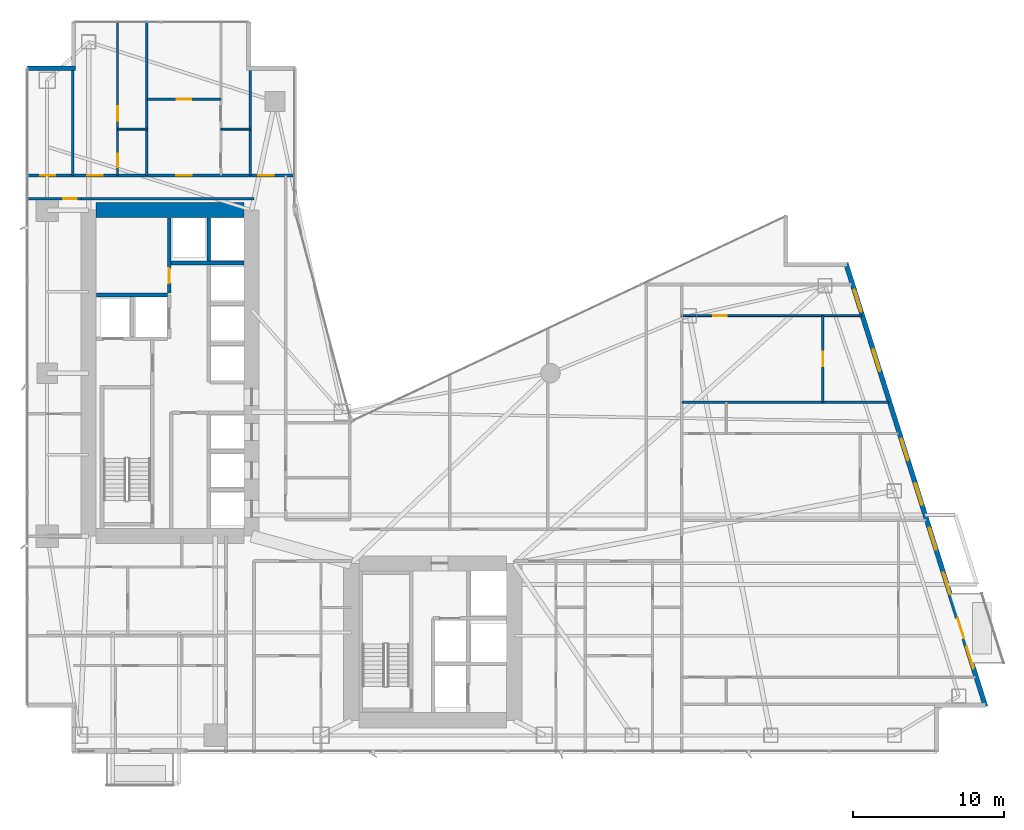
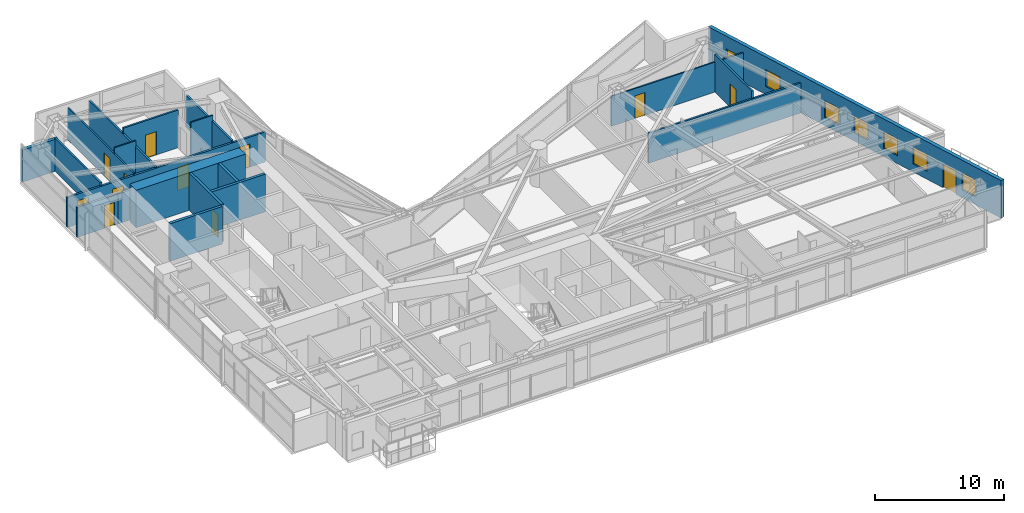
# One storey, part 25 of 30: 20 walls, 12 doors, 7 windows, 19 openings.
"""IFC4 building model written with IfcOpenShell, lengths in metres."""

from ifc_helpers import new_model, si_unit, direction, frame, frame_2d, origin, place, context, subcontext, project, spatial, rectangle, extrude, material, layer, layer_set, type_object, element, fill, save


model = new_model("IFC4")

# Units and contexts
model_context = context("Model", 3, precision=1e-05, world=origin(), true_north=direction((0.0, 1.0)))
body_context = subcontext(model_context, "Body", "Model", "MODEL_VIEW")
ifc_project = project(units=[si_unit("LENGTHUNIT", "METRE"), si_unit("AREAUNIT", "SQUARE_METRE"), si_unit("VOLUMEUNIT", "CUBIC_METRE"), si_unit("PLANEANGLEUNIT", "RADIAN"), si_unit("MASSUNIT", "GRAM", prefix="KILO")], contexts=[model_context])

# Site, building, storey
site_placement = place(None, origin())
site = spatial("IfcSite", under=ifc_project, at=site_placement, CompositionType="ELEMENT")
building_placement = place(site_placement, origin())
building = spatial("IfcBuilding", under=site, at=building_placement, Name="Calvorn Quay Hotel", CompositionType="ELEMENT")
storey_placement = place(building_placement, frame((0.0, 0.0, 77.39990234375)))
storey = spatial("IfcBuildingStorey", under=building, at=storey_placement, Name="L18", CompositionType="ELEMENT", Elevation=77.39990234375)

# Wall
ifc_material_1 = material(Name="Concrete C60", Category="concrete")
ifc_layer_1 = layer(ifc_material_1, 1.0)
ifc_layer_set_1 = layer_set([ifc_layer_1], Name="WL-CORE-1000")
wall_type_1 = type_object("IfcWallType", Name="WL-CORE-1000", PredefinedType="SHEAR", material=ifc_layer_set_1)
wall_1_placement = place(storey_placement, frame((4.699951171875, 38.39990234375, 0.0), z_axis=(0.0, 0.0, 1.0), x_axis=(1.0, 0.0, 0.0)))
element("IfcWall", 1, at=wall_1_placement, inside=storey, type_object=wall_type_1, Name="West Core Shear Wall N (L18)", PredefinedType="SHEAR", context=body_context, shape_type="SweptSolid", body=[
    extrude(rectangle(XDim=9.800048828125, YDim=1.0, at=frame_2d((4.89990234375, 0.0))), origin(), (0.0, 0.0, 1.0), 3.56005859375),
])

# Wall, opening, door
ifc_material_2 = material(Name="Acoustic Fireboard Steel-Stud Partition", Category="steel")
ifc_layer_2 = layer(ifc_material_2, 0.179931640625)
ifc_layer_set_2 = layer_set([ifc_layer_2], Name="WL-CORR-FIRE-180")
wall_type_2 = type_object("IfcWallType", Name="WL-CORR-FIRE-180", PredefinedType="PARTITIONING", material=ifc_layer_set_2)
wall_2_placement = place(storey_placement, frame((0.080078125, 39.14990234375, 0.0), z_axis=(0.0, 0.0, 1.0), x_axis=(1.0, 0.0, 0.0)))
wall_2 = element("IfcWall", 2, at=wall_2_placement, inside=storey, type_object=wall_type_2, Name="Partition Wall L18-WL-WBAY-N-DOOR", PredefinedType="PARTITIONING", context=body_context, shape_type="SweptSolid", body=[
    extrude(rectangle(XDim=3.64990234375, YDim=0.179931640625, at=frame_2d((1.824951171875, 0.0))), origin(), (0.0, 0.0, 1.0), 2.840087890625),
])
opening_1_placement = place(wall_2_placement, frame((2.429931640625, 0.0, 0.0)))
opening_1 = element("IfcOpeningElement", 3, at=opening_1_placement, cuts=wall_2, Name="Opening D-L18-WBN", PredefinedType="OPENING", context=body_context, shape_type="SweptSolid", body=[
    extrude(rectangle(XDim=0.89990234375, YDim=2.14990234375, at=frame_2d((0.449951171875, 1.074951171875))), frame((0.0, 0.099853515625, 0.0), z_axis=(0.0, -1.0, 0.0), x_axis=(1.0, 0.0, 0.0)), (0.0, 0.0, 1.0), 0.199951171875),
])
ifc_material_3 = material(Name="Moisture-Sealed Timber En-Suite Door", Category="wood")
door_type_1 = type_object("IfcDoorType", Name="DR-ENSUITE-900", OperationType="NOTDEFINED", PredefinedType="DOOR", material=ifc_material_3)
door_1_placement = place(opening_1_placement, origin())
door_1 = element("IfcDoor", 4, at=door_1_placement, inside=storey, type_object=door_type_1, Name="West North Bay Door (L18)", OperationType="SINGLE_SWING_LEFT", OverallHeight=2.14990234375, OverallWidth=0.89990234375, PredefinedType="DOOR", context=body_context, shape_type="SweptSolid", body=[
    extrude(rectangle(XDim=0.89990234375, YDim=2.14990234375, at=frame_2d((0.449951171875, 1.074951171875))), frame((0.0, 0.02490234375, 0.0), z_axis=(0.0, -1.0, 0.0), x_axis=(1.0, 0.0, 0.0)), (0.0, 0.0, 1.0), 0.050048828125),
])
fill(opening_1, door_1)

# Wall, openings, doors
wall_3_placement = place(storey_placement, frame((0.080078125, 40.699951171875, 0.0), z_axis=(0.0, 0.0, 1.0), x_axis=(1.0, 0.0, 0.0)))
wall_3 = element("IfcWall", 5, at=wall_3_placement, inside=storey, type_object=wall_type_2, Name="Partition Wall L18-WL-CORR-NW-N", PredefinedType="PARTITIONING", context=body_context, shape_type="SweptSolid", body=[
    extrude(rectangle(XDim=17.77001953125, YDim=0.179931640625, at=frame_2d((8.885009765625, 0.0))), origin(), (0.0, 0.0, 1.0), 2.840087890625),
])
opening_2_placement = place(wall_3_placement, frame((0.89990234375, 0.0, 0.0)))
opening_2 = element("IfcOpeningElement", 6, at=opening_2_placement, cuts=wall_3, Name="Opening D-L18-NWW", PredefinedType="OPENING", context=body_context, shape_type="SweptSolid", body=[
    extrude(rectangle(XDim=1.02001953125, YDim=2.199951171875, at=frame_2d((0.510009765625, 1.10009765625))), frame((0.0, 0.099853515625, 0.0), z_axis=(0.0, -1.0, 0.0), x_axis=(1.0, 0.0, 0.0)), (0.0, 0.0, 1.0), 0.199951171875),
])
opening_3_placement = place(wall_3_placement, frame((4.0400390625, 0.0, 0.0)))
opening_3 = element("IfcOpeningElement", 7, at=opening_3_placement, cuts=wall_3, Name="Opening D-L18-U04", PredefinedType="OPENING", context=body_context, shape_type="SweptSolid", body=[
    extrude(rectangle(XDim=1.02001953125, YDim=2.199951171875, at=frame_2d((0.510009765625, 1.10009765625))), frame((0.0, 0.099853515625, 0.0), z_axis=(0.0, -1.0, 0.0), x_axis=(1.0, 0.0, 0.0)), (0.0, 0.0, 1.0), 0.199951171875),
])
opening_4_placement = place(wall_3_placement, frame((9.919921875, 0.0, 0.0)))
opening_4 = element("IfcOpeningElement", 8, at=opening_4_placement, cuts=wall_3, Name="Opening D-L18-U05", PredefinedType="OPENING", context=body_context, shape_type="SweptSolid", body=[
    extrude(rectangle(XDim=1.02001953125, YDim=2.199951171875, at=frame_2d((0.510009765625, 1.10009765625))), frame((0.0, 0.099853515625, 0.0), z_axis=(0.0, -1.0, 0.0), x_axis=(1.0, 0.0, 0.0)), (0.0, 0.0, 1.0), 0.199951171875),
])
opening_5_placement = place(wall_3_placement, frame((15.3701171875, 0.0, 0.0)))
opening_5 = element("IfcOpeningElement", 9, at=opening_5_placement, cuts=wall_3, Name="Opening D-L18-NWE", PredefinedType="OPENING", context=body_context, shape_type="SweptSolid", body=[
    extrude(rectangle(XDim=1.02001953125, YDim=2.199951171875, at=frame_2d((0.510009765625, 1.10009765625))), frame((0.0, 0.099853515625, 0.0), z_axis=(0.0, -1.0, 0.0), x_axis=(1.0, 0.0, 0.0)), (0.0, 0.0, 1.0), 0.199951171875),
])
ifc_material_4 = material(Name="Solid-Core Walnut Veneer Hotel Fire Door")
door_type_2 = type_object("IfcDoorType", Name="DR-GUEST-ENTRY-1020", OperationType="NOTDEFINED", PredefinedType="DOOR", material=ifc_material_4)
door_2_placement = place(opening_2_placement, origin())
door_2 = element("IfcDoor", 10, at=door_2_placement, inside=storey, type_object=door_type_2, Name="West Corner Study Door (L18)", OperationType="SINGLE_SWING_LEFT", OverallHeight=2.199951171875, OverallWidth=1.02001953125, PredefinedType="DOOR", context=body_context, shape_type="SweptSolid", body=[
    extrude(rectangle(XDim=1.02001953125, YDim=2.199951171875, at=frame_2d((0.510009765625, 1.10009765625))), frame((0.0, 0.02490234375, 0.0), z_axis=(0.0, -1.0, 0.0), x_axis=(1.0, 0.0, 0.0)), (0.0, 0.0, 1.0), 0.050048828125),
])
fill(opening_2, door_2)
door_3_placement = place(opening_3_placement, origin())
door_3 = element("IfcDoor", 11, at=door_3_placement, inside=storey, type_object=door_type_2, Name="North-West Unit Door U04 (L18)", OperationType="SINGLE_SWING_RIGHT", OverallHeight=2.199951171875, OverallWidth=1.02001953125, PredefinedType="DOOR", context=body_context, shape_type="SweptSolid", body=[
    extrude(rectangle(XDim=1.02001953125, YDim=2.199951171875, at=frame_2d((0.510009765625, 1.10009765625))), frame((0.0, 0.02490234375, 0.0), z_axis=(0.0, -1.0, 0.0), x_axis=(1.0, 0.0, 0.0)), (0.0, 0.0, 1.0), 0.050048828125),
])
fill(opening_3, door_3)
door_4_placement = place(opening_4_placement, origin())
door_4 = element("IfcDoor", 12, at=door_4_placement, inside=storey, type_object=door_type_2, Name="North-West Unit Door U05 (L18)", OperationType="SINGLE_SWING_LEFT", OverallHeight=2.199951171875, OverallWidth=1.02001953125, PredefinedType="DOOR", context=body_context, shape_type="SweptSolid", body=[
    extrude(rectangle(XDim=1.02001953125, YDim=2.199951171875, at=frame_2d((0.510009765625, 1.10009765625))), frame((0.0, 0.02490234375, 0.0), z_axis=(0.0, -1.0, 0.0), x_axis=(1.0, 0.0, 0.0)), (0.0, 0.0, 1.0), 0.050048828125),
])
fill(opening_4, door_4)
door_5_placement = place(opening_5_placement, origin())
door_5 = element("IfcDoor", 13, at=door_5_placement, inside=storey, type_object=door_type_2, Name="Inner Court Study Door (L18)", OperationType="SINGLE_SWING_RIGHT", OverallHeight=2.199951171875, OverallWidth=1.02001953125, PredefinedType="DOOR", context=body_context, shape_type="SweptSolid", body=[
    extrude(rectangle(XDim=1.02001953125, YDim=2.199951171875, at=frame_2d((0.510009765625, 1.10009765625))), frame((0.0, 0.02490234375, 0.0), z_axis=(0.0, -1.0, 0.0), x_axis=(1.0, 0.0, 0.0)), (0.0, 0.0, 1.0), 0.050048828125),
])
fill(opening_5, door_5)

# Walls
wall_4_placement = place(storey_placement, frame((3.679931640625, 39.14990234375, 0.0), z_axis=(0.0, 0.0, 1.0), x_axis=(1.0, 0.0, 0.0)))
element("IfcWall", 14, at=wall_4_placement, inside=storey, type_object=wall_type_2, Name="Partition Wall L18-WL-W-SPUR-S", PredefinedType="PARTITIONING", context=body_context, shape_type="SweptSolid", body=[
    extrude(rectangle(XDim=11.469970703125, YDim=0.179931640625, at=frame_2d((5.73486328125, 0.0))), origin(), (0.0, 0.0, 1.0), 2.840087890625),
])
ifc_material_5 = material(Name="Moisture-Resistant Tile-Backed Partition")
ifc_layer_3 = layer(ifc_material_5, 0.125)
ifc_layer_set_3 = layer_set([ifc_layer_3], Name="WL-ENSUITE-125")
wall_type_3 = type_object("IfcWallType", Name="WL-ENSUITE-125", PredefinedType="PARTITIONING", material=ifc_layer_set_3)
wall_5_placement = place(storey_placement, frame((6.1201171875, 43.77001953125, 0.0), z_axis=(0.0, 0.0, 1.0), x_axis=(1.0, 0.0, 0.0)))
element("IfcWall", 15, at=wall_5_placement, inside=storey, type_object=wall_type_3, Name="Partition Wall L18-WL-U04-BDV", PredefinedType="PARTITIONING", context=body_context, shape_type="SweptSolid", body=[
    extrude(rectangle(XDim=1.929931640625, YDim=0.125, at=frame_2d((0.96484375, 0.0))), origin(), (0.0, 0.0, 1.0), 3.56005859375),
])

# Wall, openings, doors
wall_6_placement = place(storey_placement, frame((6.1201171875, 40.699951171875, 0.0), z_axis=(0.0, 0.0, 1.0), x_axis=(0.0, 1.0, 0.0)))
wall_6 = element("IfcWall", 16, at=wall_6_placement, inside=storey, type_object=wall_type_3, Name="Partition Wall L18-WL-U04-BV", PredefinedType="PARTITIONING", context=body_context, shape_type="SweptSolid", body=[
    extrude(rectangle(XDim=10.239990234375, YDim=0.125, at=frame_2d((5.1201171875, 0.0))), origin(), (0.0, 0.0, 1.0), 3.0400390625),
])
opening_6_placement = place(wall_6_placement, frame((0.550048828125, 0.0, 0.0)))
opening_6 = element("IfcOpeningElement", 17, at=opening_6_placement, cuts=wall_6, Name="Opening D-L18-E04", PredefinedType="OPENING", context=body_context, shape_type="SweptSolid", body=[
    extrude(rectangle(XDim=0.89990234375, YDim=2.14990234375, at=frame_2d((0.449951171875, 1.074951171875))), frame((0.0, 0.072509765625, 0.0), z_axis=(0.0, -1.0, 0.0), x_axis=(1.0, 0.0, 0.0)), (0.0, 0.0, 1.0), 0.14501953125),
])
opening_7_placement = place(wall_6_placement, frame((3.6201171875, 0.0, 0.0)))
opening_7 = element("IfcOpeningElement", 18, at=opening_7_placement, cuts=wall_6, Name="Opening D-L18-S04", PredefinedType="OPENING", context=body_context, shape_type="SweptSolid", body=[
    extrude(rectangle(XDim=0.9599609375, YDim=2.199951171875, at=frame_2d((0.47998046875, 1.10009765625))), frame((0.0, 0.072509765625, 0.0), z_axis=(0.0, -1.0, 0.0), x_axis=(1.0, 0.0, 0.0)), (0.0, 0.0, 1.0), 0.14501953125),
])
door_6_placement = place(opening_6_placement, origin())
door_6 = element("IfcDoor", 19, at=door_6_placement, inside=storey, type_object=door_type_1, Name="En-Suite Door 04", OperationType="SINGLE_SWING_LEFT", OverallHeight=2.14990234375, OverallWidth=0.89990234375, PredefinedType="DOOR", context=body_context, shape_type="SweptSolid", body=[
    extrude(rectangle(XDim=0.89990234375, YDim=2.14990234375, at=frame_2d((0.449951171875, 1.074951171875))), frame((0.0, 0.02490234375, 0.0), z_axis=(0.0, -1.0, 0.0), x_axis=(1.0, 0.0, 0.0)), (0.0, 0.0, 1.0), 0.050048828125),
])
fill(opening_6, door_6)
ifc_material_6 = material(Name="Solid Timber Internal Suite Door", Category="wood")
door_type_3 = type_object("IfcDoorType", Name="DR-SUITE-INT-960", OperationType="NOTDEFINED", PredefinedType="DOOR", material=ifc_material_6)
door_7_placement = place(opening_7_placement, origin())
door_7 = element("IfcDoor", 20, at=door_7_placement, inside=storey, type_object=door_type_3, Name="Botanical Winter Garden Door 04", OperationType="SINGLE_SWING_RIGHT", OverallHeight=2.199951171875, OverallWidth=0.9599609375, PredefinedType="DOOR", context=body_context, shape_type="SweptSolid", body=[
    extrude(rectangle(XDim=0.9599609375, YDim=2.199951171875, at=frame_2d((0.47998046875, 1.10009765625))), frame((0.0, 0.02490234375, 0.0), z_axis=(0.0, -1.0, 0.0), x_axis=(1.0, 0.0, 0.0)), (0.0, 0.0, 1.0), 0.050048828125),
])
fill(opening_7, door_7)

# Wall
wall_7_placement = place(storey_placement, frame((12.9599609375, 43.77001953125, 0.0), z_axis=(0.0, 0.0, 1.0), x_axis=(1.0, 0.0, 0.0)))
element("IfcWall", 21, at=wall_7_placement, inside=storey, type_object=wall_type_3, Name="Partition Wall L18-WL-U05-BDV", PredefinedType="PARTITIONING", context=body_context, shape_type="SweptSolid", body=[
    extrude(rectangle(XDim=1.9599609375, YDim=0.125, at=frame_2d((0.97998046875, 0.0))), origin(), (0.0, 0.0, 1.0), 3.56005859375),
])

# Wall, opening, door
wall_8_placement = place(storey_placement, frame((43.5, 31.409912109375, 0.0), z_axis=(0.0, 0.0, 1.0), x_axis=(1.0, 0.0, 0.0)))
wall_8 = element("IfcWall", 22, at=wall_8_placement, inside=storey, type_object=wall_type_3, Name="Partition Wall L18-WL-U10-BH", PredefinedType="PARTITIONING", context=body_context, shape_type="SweptSolid", body=[
    extrude(rectangle(XDim=11.909912109375, YDim=0.125, at=frame_2d((5.955078125, 0.0))), origin(), (0.0, 0.0, 1.0), 2.840087890625),
])
opening_8_placement = place(wall_8_placement, frame((2.090087890625, 0.0, 0.0)))
opening_8 = element("IfcOpeningElement", 23, at=opening_8_placement, cuts=wall_8, Name="Opening D-L18-E10", PredefinedType="OPENING", context=body_context, shape_type="SweptSolid", body=[
    extrude(rectangle(XDim=0.89990234375, YDim=2.14990234375, at=frame_2d((0.449951171875, 1.074951171875))), frame((0.0, 0.072509765625, 0.0), z_axis=(0.0, -1.0, 0.0), x_axis=(1.0, 0.0, 0.0)), (0.0, 0.0, 1.0), 0.14501953125),
])
door_8_placement = place(opening_8_placement, origin())
door_8 = element("IfcDoor", 24, at=door_8_placement, inside=storey, type_object=door_type_1, Name="En-Suite Door 10", OperationType="SINGLE_SWING_LEFT", OverallHeight=2.14990234375, OverallWidth=0.89990234375, PredefinedType="DOOR", context=body_context, shape_type="SweptSolid", body=[
    extrude(rectangle(XDim=0.89990234375, YDim=2.14990234375, at=frame_2d((0.449951171875, 1.074951171875))), frame((0.0, 0.02490234375, 0.0), z_axis=(0.0, -1.0, 0.0), x_axis=(1.0, 0.0, 0.0)), (0.0, 0.0, 1.0), 0.050048828125),
])
fill(opening_8, door_8)

# Wall
ifc_material_7 = material(Name="Concrete C40", Category="concrete")
ifc_layer_4 = layer(ifc_material_7, 0.320068359375)
ifc_layer_set_4 = layer_set([ifc_layer_4], Name="WL-EXT-SPANDREL-320")
wall_type_4 = type_object("IfcWallType", Name="WL-EXT-SPANDREL-320", PredefinedType="SOLIDWALL", material=ifc_layer_set_4)
wall_9_placement = place(storey_placement, frame((3.340087890625, 47.800048828125, 0.0), z_axis=(0.0, 0.0, 1.0), x_axis=(-1.0, 0.0, 0.0)))
element("IfcWall", 25, at=wall_9_placement, inside=storey, type_object=wall_type_4, Name="Notched Corner Spandrel L18-NW2", PredefinedType="SOLIDWALL", context=body_context, shape_type="SweptSolid", body=[
    extrude(rectangle(XDim=3.219970703125, YDim=0.280029296875, at=frame_2d((1.60986328125, 0.0))), origin(), (0.0, 0.0, 1.0), 3.0400390625),
])

# Wall, openings, door, windows
wall_10_placement = place(storey_placement, frame((63.6298828125, 5.5048828125, 0.0), z_axis=(0.0, 0.0, 1.0), x_axis=(-0.300501856448, 0.953781229775, 0.0)))
wall_10 = element("IfcWall", 26, at=wall_10_placement, inside=storey, type_object=wall_type_4, Name="East Stepped Waterfront Exterior Wall (L18)", PredefinedType="SOLIDWALL", context=body_context, shape_type="SweptSolid", body=[
    extrude(rectangle(XDim=30.814453125, YDim=0.320068359375, at=frame_2d((15.4072265625, 0.0))), origin(), (0.0, 0.0, 1.0), 3.56005859375),
])
opening_9_placement = place(wall_10_placement, frame((4.7470703125, 0.0, 0.0)))
opening_9 = element("IfcOpeningElement", 27, at=opening_9_placement, cuts=wall_10, Name="Opening DB-L18-1", PredefinedType="OPENING", context=body_context, shape_type="SweptSolid", body=[
    extrude(rectangle(XDim=1.39990234375, YDim=2.25, at=frame_2d((0.699951171875, 1.125))), frame((0.0, 0.169921875, 0.0), z_axis=(0.0, -1.0, 0.0), x_axis=(1.0, 0.0, 0.0)), (0.0, 0.0, 1.0), 0.340087890625),
])
opening_10_placement = place(wall_10_placement, frame((2.64990234375, 0.0, 0.75)))
opening_10 = element("IfcOpeningElement", 28, at=opening_10_placement, cuts=wall_10, Name="Opening WG-L18-E1", PredefinedType="OPENING", context=body_context, shape_type="SweptSolid", body=[
    extrude(rectangle(XDim=1.5, YDim=1.60009765625, at=frame_2d((0.75, 0.800048828125))), frame((0.0, 0.169921875, 0.0), z_axis=(0.0, -1.0, 0.0), x_axis=(1.0, 0.0, 0.0)), (0.0, 0.0, 1.0), 0.340087890625),
])
opening_11_placement = place(wall_10_placement, frame((7.800048828125, 0.0, 0.75)))
opening_11 = element("IfcOpeningElement", 29, at=opening_11_placement, cuts=wall_10, Name="Opening WG-L18-E2", PredefinedType="OPENING", context=body_context, shape_type="SweptSolid", body=[
    extrude(rectangle(XDim=1.5, YDim=1.60009765625, at=frame_2d((0.75, 0.800048828125))), frame((0.0, 0.169921875, 0.0), z_axis=(0.0, -1.0, 0.0), x_axis=(1.0, 0.0, 0.0)), (0.0, 0.0, 1.0), 0.340087890625),
])
opening_12_placement = place(wall_10_placement, frame((10.89990234375, 0.0, 0.75)))
opening_12 = element("IfcOpeningElement", 30, at=opening_12_placement, cuts=wall_10, Name="Opening WG-L18-E3", PredefinedType="OPENING", context=body_context, shape_type="SweptSolid", body=[
    extrude(rectangle(XDim=1.5, YDim=1.60009765625, at=frame_2d((0.75, 0.800048828125))), frame((0.0, 0.169921875, 0.0), z_axis=(0.0, -1.0, 0.0), x_axis=(1.0, 0.0, 0.0)), (0.0, 0.0, 1.0), 0.340087890625),
])
opening_13_placement = place(wall_10_placement, frame((14.0, 0.0, 0.75)))
opening_13 = element("IfcOpeningElement", 31, at=opening_13_placement, cuts=wall_10, Name="Opening WG-L18-E4", PredefinedType="OPENING", context=body_context, shape_type="SweptSolid", body=[
    extrude(rectangle(XDim=1.5, YDim=1.60009765625, at=frame_2d((0.75, 0.800048828125))), frame((0.0, 0.169921875, 0.0), z_axis=(0.0, -1.0, 0.0), x_axis=(1.0, 0.0, 0.0)), (0.0, 0.0, 1.0), 0.340087890625),
])
opening_14_placement = place(wall_10_placement, frame((17.10009765625, 0.0, 0.75)))
opening_14 = element("IfcOpeningElement", 32, at=opening_14_placement, cuts=wall_10, Name="Opening WG-L18-E5", PredefinedType="OPENING", context=body_context, shape_type="SweptSolid", body=[
    extrude(rectangle(XDim=1.5, YDim=1.60009765625, at=frame_2d((0.75, 0.800048828125))), frame((0.0, 0.169921875, 0.0), z_axis=(0.0, -1.0, 0.0), x_axis=(1.0, 0.0, 0.0)), (0.0, 0.0, 1.0), 0.340087890625),
])
opening_15_placement = place(wall_10_placement, frame((23.300048828125, 0.0, 0.75)))
opening_15 = element("IfcOpeningElement", 33, at=opening_15_placement, cuts=wall_10, Name="Opening WG-L18-E6", PredefinedType="OPENING", context=body_context, shape_type="SweptSolid", body=[
    extrude(rectangle(XDim=1.5, YDim=1.60009765625, at=frame_2d((0.75, 0.800048828125))), frame((0.0, 0.169921875, 0.0), z_axis=(0.0, -1.0, 0.0), x_axis=(1.0, 0.0, 0.0)), (0.0, 0.0, 1.0), 0.340087890625),
])
opening_16_placement = place(wall_10_placement, frame((27.449951171875, 0.0, 0.75)))
opening_16 = element("IfcOpeningElement", 34, at=opening_16_placement, cuts=wall_10, Name="Opening WG-L18-E7", PredefinedType="OPENING", context=body_context, shape_type="SweptSolid", body=[
    extrude(rectangle(XDim=1.5, YDim=1.60009765625, at=frame_2d((0.75, 0.800048828125))), frame((0.0, 0.169921875, 0.0), z_axis=(0.0, -1.0, 0.0), x_axis=(1.0, 0.0, 0.0)), (0.0, 0.0, 1.0), 0.340087890625),
])
ifc_material_8 = material(Name="Typhoon-Rated Low-E Aluminium Terrace Door", Category="aluminium")
door_type_4 = type_object("IfcDoorType", Name="DR-BALCONY-GLZ-1400", OperationType="NOTDEFINED", PredefinedType="DOOR", material=ifc_material_8)
door_9_placement = place(opening_9_placement, origin())
door_9 = element("IfcDoor", 35, at=door_9_placement, inside=storey, type_object=door_type_4, Name="Tree Balcony Terrace Door L18-BALC-E", OperationType="SINGLE_SWING_LEFT", OverallHeight=2.25, OverallWidth=1.39990234375, PredefinedType="DOOR", context=body_context, shape_type="SweptSolid", body=[
    extrude(rectangle(XDim=1.39990234375, YDim=2.25, at=frame_2d((0.699951171875, 1.125))), frame((0.0, 0.02490234375, 0.0), z_axis=(0.0, -1.0, 0.0), x_axis=(1.0, 0.0, 0.0)), (0.0, 0.0, 1.0), 0.050048828125),
])
fill(opening_9, door_9)
ifc_material_9 = material(Name="Self-Closing Class B Fire Window")
window_type = type_object("IfcWindowType", Name="WIN-REFUGE-1500x1600", PartitioningType="SINGLE_PANEL", PredefinedType="WINDOW", material=ifc_material_9)
window_1_placement = place(opening_10_placement, origin())
window_1 = element("IfcWindow", 36, at=window_1_placement, inside=storey, type_object=window_type, Name="East Facade Window L18-E1", OverallHeight=1.60009765625, OverallWidth=1.5, PartitioningType="SINGLE_PANEL", PredefinedType="WINDOW", context=body_context, shape_type="SweptSolid", body=[
    extrude(rectangle(XDim=1.5, YDim=1.60009765625, at=frame_2d((0.75, 0.800048828125))), frame((0.0, 0.030029296875, 0.0), z_axis=(0.0, -1.0, 0.0), x_axis=(1.0, 0.0, 0.0)), (0.0, 0.0, 1.0), 0.06005859375),
])
fill(opening_10, window_1)
window_2_placement = place(opening_11_placement, origin())
window_2 = element("IfcWindow", 37, at=window_2_placement, inside=storey, type_object=window_type, Name="East Facade Window L18-E2", OverallHeight=1.60009765625, OverallWidth=1.5, PartitioningType="SINGLE_PANEL", PredefinedType="WINDOW", context=body_context, shape_type="SweptSolid", body=[
    extrude(rectangle(XDim=1.5, YDim=1.60009765625, at=frame_2d((0.75, 0.800048828125))), frame((0.0, 0.030029296875, 0.0), z_axis=(0.0, -1.0, 0.0), x_axis=(1.0, 0.0, 0.0)), (0.0, 0.0, 1.0), 0.06005859375),
])
fill(opening_11, window_2)
window_3_placement = place(opening_12_placement, origin())
window_3 = element("IfcWindow", 38, at=window_3_placement, inside=storey, type_object=window_type, Name="East Facade Window L18-E3", OverallHeight=1.60009765625, OverallWidth=1.5, PartitioningType="SINGLE_PANEL", PredefinedType="WINDOW", context=body_context, shape_type="SweptSolid", body=[
    extrude(rectangle(XDim=1.5, YDim=1.60009765625, at=frame_2d((0.75, 0.800048828125))), frame((0.0, 0.030029296875, 0.0), z_axis=(0.0, -1.0, 0.0), x_axis=(1.0, 0.0, 0.0)), (0.0, 0.0, 1.0), 0.06005859375),
])
fill(opening_12, window_3)
window_4_placement = place(opening_13_placement, origin())
window_4 = element("IfcWindow", 39, at=window_4_placement, inside=storey, type_object=window_type, Name="East Facade Window L18-E4", OverallHeight=1.60009765625, OverallWidth=1.5, PartitioningType="SINGLE_PANEL", PredefinedType="WINDOW", context=body_context, shape_type="SweptSolid", body=[
    extrude(rectangle(XDim=1.5, YDim=1.60009765625, at=frame_2d((0.75, 0.800048828125))), frame((0.0, 0.030029296875, 0.0), z_axis=(0.0, -1.0, 0.0), x_axis=(1.0, 0.0, 0.0)), (0.0, 0.0, 1.0), 0.06005859375),
])
fill(opening_13, window_4)
window_5_placement = place(opening_14_placement, origin())
window_5 = element("IfcWindow", 40, at=window_5_placement, inside=storey, type_object=window_type, Name="East Facade Window L18-E5", OverallHeight=1.60009765625, OverallWidth=1.5, PartitioningType="SINGLE_PANEL", PredefinedType="WINDOW", context=body_context, shape_type="SweptSolid", body=[
    extrude(rectangle(XDim=1.5, YDim=1.60009765625, at=frame_2d((0.75, 0.800048828125))), frame((0.0, 0.030029296875, 0.0), z_axis=(0.0, -1.0, 0.0), x_axis=(1.0, 0.0, 0.0)), (0.0, 0.0, 1.0), 0.06005859375),
])
fill(opening_14, window_5)
window_6_placement = place(opening_15_placement, origin())
window_6 = element("IfcWindow", 41, at=window_6_placement, inside=storey, type_object=window_type, Name="East Facade Window L18-E6", OverallHeight=1.60009765625, OverallWidth=1.5, PartitioningType="SINGLE_PANEL", PredefinedType="WINDOW", context=body_context, shape_type="SweptSolid", body=[
    extrude(rectangle(XDim=1.5, YDim=1.60009765625, at=frame_2d((0.75, 0.800048828125))), frame((0.0, 0.030029296875, 0.0), z_axis=(0.0, -1.0, 0.0), x_axis=(1.0, 0.0, 0.0)), (0.0, 0.0, 1.0), 0.06005859375),
])
fill(opening_15, window_6)
window_7_placement = place(opening_16_placement, origin())
window_7 = element("IfcWindow", 42, at=window_7_placement, inside=storey, type_object=window_type, Name="East Facade Window L18-E7", OverallHeight=1.60009765625, OverallWidth=1.5, PartitioningType="SINGLE_PANEL", PredefinedType="WINDOW", context=body_context, shape_type="SweptSolid", body=[
    extrude(rectangle(XDim=1.5, YDim=1.60009765625, at=frame_2d((0.75, 0.800048828125))), frame((0.0, 0.030029296875, 0.0), z_axis=(0.0, -1.0, 0.0), x_axis=(1.0, 0.0, 0.0)), (0.0, 0.0, 1.0), 0.06005859375),
])
fill(opening_16, window_7)

# Walls
ifc_material_10 = material(Name="Double-Stud Acoustic Gypsum Partition")
ifc_layer_5 = layer(ifc_material_10, 0.159912109375)
ifc_layer_set_5 = layer_set([ifc_layer_5], Name="WL-INTERSUITE-160")
wall_type_5 = type_object("IfcWallType", Name="WL-INTERSUITE-160", PredefinedType="PARTITIONING", material=ifc_layer_set_5)
wall_11_placement = place(storey_placement, frame((3.14990234375, 40.699951171875, 0.0), z_axis=(0.0, 0.0, 1.0), x_axis=(0.0, 1.0, 0.0)))
element("IfcWall", 43, at=wall_11_placement, inside=storey, type_object=wall_type_5, Name="Partition Wall L18-WL-NW-DIV-W0", PredefinedType="PARTITIONING", context=body_context, shape_type="SweptSolid", body=[
    extrude(rectangle(XDim=7.10009765625, YDim=0.159912109375, at=frame_2d((3.550048828125, 0.0))), origin(), (0.0, 0.0, 1.0), 3.14013671875),
])
wall_12_placement = place(storey_placement, frame((14.919921875, 40.699951171875, 0.0), z_axis=(0.0, 0.0, 1.0), x_axis=(0.0, 1.0, 0.0)))
element("IfcWall", 44, at=wall_12_placement, inside=storey, type_object=wall_type_5, Name="Partition Wall L18-WL-NW-DIV-E0", PredefinedType="PARTITIONING", context=body_context, shape_type="SweptSolid", body=[
    extrude(rectangle(XDim=7.10009765625, YDim=0.159912109375, at=frame_2d((3.550048828125, 0.0))), origin(), (0.0, 0.0, 1.0), 3.0400390625),
])

# Wall, opening, door
wall_13_placement = place(storey_placement, frame((8.050048828125, 45.75, 0.0), z_axis=(0.0, 0.0, 1.0), x_axis=(1.0, 0.0, 0.0)))
wall_13 = element("IfcWall", 45, at=wall_13_placement, inside=storey, type_object=wall_type_5, Name="Partition Wall L18-WL-U05-MSP", PredefinedType="PARTITIONING", context=body_context, shape_type="SweptSolid", body=[
    extrude(rectangle(XDim=4.909912109375, YDim=0.159912109375, at=frame_2d((2.455078125, 0.0))), origin(), (0.0, 0.0, 1.0), 3.56005859375),
])
opening_17_placement = place(wall_13_placement, frame((1.97998046875, 0.0, 0.0)))
opening_17 = element("IfcOpeningElement", 46, at=opening_17_placement, cuts=wall_13, Name="Opening D-L18-M05", PredefinedType="OPENING", context=body_context, shape_type="SweptSolid", body=[
    extrude(rectangle(XDim=0.9599609375, YDim=2.199951171875, at=frame_2d((0.47998046875, 1.10009765625))), frame((0.0, 0.08984375, 0.0), z_axis=(0.0, -1.0, 0.0), x_axis=(1.0, 0.0, 0.0)), (0.0, 0.0, 1.0), 0.179931640625),
])
door_10_placement = place(opening_17_placement, origin())
door_10 = element("IfcDoor", 47, at=door_10_placement, inside=storey, type_object=door_type_3, Name="Suite Bedroom Door 05", OperationType="SINGLE_SWING_LEFT", OverallHeight=2.199951171875, OverallWidth=0.9599609375, PredefinedType="DOOR", context=body_context, shape_type="SweptSolid", body=[
    extrude(rectangle(XDim=0.9599609375, YDim=2.199951171875, at=frame_2d((0.47998046875, 1.10009765625))), frame((0.0, 0.02490234375, 0.0), z_axis=(0.0, -1.0, 0.0), x_axis=(1.0, 0.0, 0.0)), (0.0, 0.0, 1.0), 0.050048828125),
])
fill(opening_17, door_10)

# Wall
wall_14_placement = place(storey_placement, frame((8.050048828125, 40.699951171875, 0.0), z_axis=(0.0, 0.0, 1.0), x_axis=(0.0, 1.0, 0.0)))
element("IfcWall", 48, at=wall_14_placement, inside=storey, type_object=wall_type_5, Name="Partition Wall L18-WL-NW-DIV-1", PredefinedType="PARTITIONING", context=body_context, shape_type="SweptSolid", body=[
    extrude(rectangle(XDim=10.239990234375, YDim=0.159912109375, at=frame_2d((5.1201171875, 0.0))), origin(), (0.0, 0.0, 1.0), 3.0400390625),
])

# Wall, opening, door
wall_15_placement = place(storey_placement, frame((52.85009765625, 25.659912109375, 0.0), z_axis=(0.0, 0.0, 1.0), x_axis=(0.0, 1.0, 0.0)))
wall_15 = element("IfcWall", 49, at=wall_15_placement, inside=storey, type_object=wall_type_5, Name="Partition Wall L18-WL-U10-MSP", PredefinedType="PARTITIONING", context=body_context, shape_type="SweptSolid", body=[
    extrude(rectangle(XDim=5.75, YDim=0.159912109375, at=frame_2d((2.875, 0.0))), origin(), (0.0, 0.0, 1.0), 3.56005859375),
])
opening_18_placement = place(wall_15_placement, frame((2.39990234375, 0.0, 0.0)))
opening_18 = element("IfcOpeningElement", 50, at=opening_18_placement, cuts=wall_15, Name="Opening D-L18-M10", PredefinedType="OPENING", context=body_context, shape_type="SweptSolid", body=[
    extrude(rectangle(XDim=0.9599609375, YDim=2.199951171875, at=frame_2d((0.47998046875, 1.10009765625))), frame((0.0, 0.08984375, 0.0), z_axis=(0.0, -1.0, 0.0), x_axis=(1.0, 0.0, 0.0)), (0.0, 0.0, 1.0), 0.179931640625),
])
door_11_placement = place(opening_18_placement, origin())
door_11 = element("IfcDoor", 51, at=door_11_placement, inside=storey, type_object=door_type_3, Name="Suite Bedroom Door 10", OperationType="SINGLE_SWING_LEFT", OverallHeight=2.199951171875, OverallWidth=0.9599609375, PredefinedType="DOOR", context=body_context, shape_type="SweptSolid", body=[
    extrude(rectangle(XDim=0.9599609375, YDim=2.199951171875, at=frame_2d((0.47998046875, 1.10009765625))), frame((0.0, 0.02490234375, 0.0), z_axis=(0.0, -1.0, 0.0), x_axis=(1.0, 0.0, 0.0)), (0.0, 0.0, 1.0), 0.050048828125),
])
fill(opening_18, door_11)

# Wall
wall_16_placement = place(storey_placement, frame((43.5, 25.659912109375, 0.0), z_axis=(0.0, 0.0, 1.0), x_axis=(1.0, 0.0, 0.0)))
element("IfcWall", 52, at=wall_16_placement, inside=storey, type_object=wall_type_5, Name="Partition Wall L18-WL-TIP-DIV2", PredefinedType="PARTITIONING", context=body_context, shape_type="SweptSolid", body=[
    extrude(rectangle(XDim=13.719970703125, YDim=0.159912109375, at=frame_2d((6.85986328125, 0.0))), origin(), (0.0, 0.0, 1.0), 2.840087890625),
])

# Wall, opening, door
ifc_material_11 = material(Name="Autoclaved Aerated Masonry Block", Category="masonry")
ifc_layer_6 = layer(ifc_material_11, 0.219970703125)
ifc_layer_set_6 = layer_set([ifc_layer_6], Name="WL-LOBBY-FIRE-220")
wall_type_6 = type_object("IfcWallType", Name="WL-LOBBY-FIRE-220", PredefinedType="SOLIDWALL", material=ifc_layer_set_6)
wall_17_placement = place(storey_placement, frame((9.5400390625, 32.919921875, 0.0), z_axis=(0.0, 0.0, 1.0), x_axis=(0.0, 1.0, 0.0)))
wall_17 = element("IfcWall", 53, at=wall_17_placement, inside=storey, type_object=wall_type_6, Name="Partition Wall L18-WL-CWW-K-E", PredefinedType="SOLIDWALL", context=body_context, shape_type="SweptSolid", body=[
    extrude(rectangle(XDim=4.9599609375, YDim=0.219970703125, at=frame_2d((2.47998046875, 0.0))), origin(), (0.0, 0.0, 1.0), 3.56005859375),
])
opening_19_placement = place(wall_17_placement, frame((0.64990234375, 0.0, 0.0)))
opening_19 = element("IfcOpeningElement", 54, at=opening_19_placement, cuts=wall_17, Name="Opening D-L18-CK1", PredefinedType="OPENING", context=body_context, shape_type="SweptSolid", body=[
    extrude(rectangle(XDim=0.97998046875, YDim=2.14990234375, at=frame_2d((0.489990234375, 1.074951171875))), frame((0.0, 0.119873046875, 0.0), z_axis=(0.0, -1.0, 0.0), x_axis=(1.0, 0.0, 0.0)), (0.0, 0.0, 1.0), 0.239990234375),
])
ifc_material_12 = material(Name="Painted Steel Housekeeping/Riser Fire Door", Category="steel")
door_type_5 = type_object("IfcDoorType", Name="DR-SERVICE-980", OperationType="NOTDEFINED", PredefinedType="DOOR", material=ifc_material_12)
door_12_placement = place(opening_19_placement, origin())
door_12 = element("IfcDoor", 55, at=door_12_placement, inside=storey, type_object=door_type_5, Name="Core Linen Room Door (L18)", OperationType="SINGLE_SWING_LEFT", OverallHeight=2.14990234375, OverallWidth=0.97998046875, PredefinedType="DOOR", context=body_context, shape_type="SweptSolid", body=[
    extrude(rectangle(XDim=0.97998046875, YDim=2.14990234375, at=frame_2d((0.489990234375, 1.074951171875))), frame((0.0, 0.02490234375, 0.0), z_axis=(0.0, -1.0, 0.0), x_axis=(1.0, 0.0, 0.0)), (0.0, 0.0, 1.0), 0.050048828125),
])
fill(opening_19, door_12)

# Walls
ifc_material_13 = material(Name="Concrete C40", Category="concrete")
ifc_layer_7 = layer(ifc_material_13, 0.239990234375)
ifc_layer_set_7 = layer_set([ifc_layer_7], Name="WL-SHAFT-240")
wall_type_7 = type_object("IfcWallType", Name="WL-SHAFT-240", PredefinedType="SOLIDWALL", material=ifc_layer_set_7)
wall_18_placement = place(storey_placement, frame((4.719970703125, 32.780029296875, 0.0), z_axis=(0.0, 0.0, 1.0), x_axis=(1.0, 0.0, 0.0)))
element("IfcWall", 56, at=wall_18_placement, inside=storey, type_object=wall_type_7, Name="Partition Wall L18-WL-CWW-SLW-N", PredefinedType="SOLIDWALL", context=body_context, shape_type="SweptSolid", body=[
    extrude(rectangle(XDim=4.699951171875, YDim=0.239990234375, at=frame_2d((2.35009765625, 0.0))), origin(), (0.0, 0.0, 1.0), 3.56005859375),
])
wall_19_placement = place(storey_placement, frame((9.659912109375, 34.89990234375, 0.0), z_axis=(0.0, 0.0, 1.0), x_axis=(1.0, 0.0, 0.0)))
element("IfcWall", 57, at=wall_19_placement, inside=storey, type_object=wall_type_7, Name="Partition Wall L18-WL-CWW-PLH-S", PredefinedType="SOLIDWALL", context=body_context, shape_type="SweptSolid", body=[
    extrude(rectangle(XDim=4.820068359375, YDim=0.239990234375, at=frame_2d((2.41015625, 0.0))), origin(), (0.0, 0.0, 1.0), 3.56005859375),
])
wall_20_placement = place(storey_placement, frame((12.14990234375, 35.02001953125, 0.0), z_axis=(0.0, 0.0, 1.0), x_axis=(0.0, 1.0, 0.0)))
element("IfcWall", 58, at=wall_20_placement, inside=storey, type_object=wall_type_7, Name="Partition Wall L18-WL-CWW-PLH-DIV", PredefinedType="SOLIDWALL", context=body_context, shape_type="SweptSolid", body=[
    extrude(rectangle(XDim=2.85986328125, YDim=0.239990234375, at=frame_2d((1.429931640625, 0.0))), origin(), (0.0, 0.0, 1.0), 3.56005859375),
])

save(model, "model.ifc")
